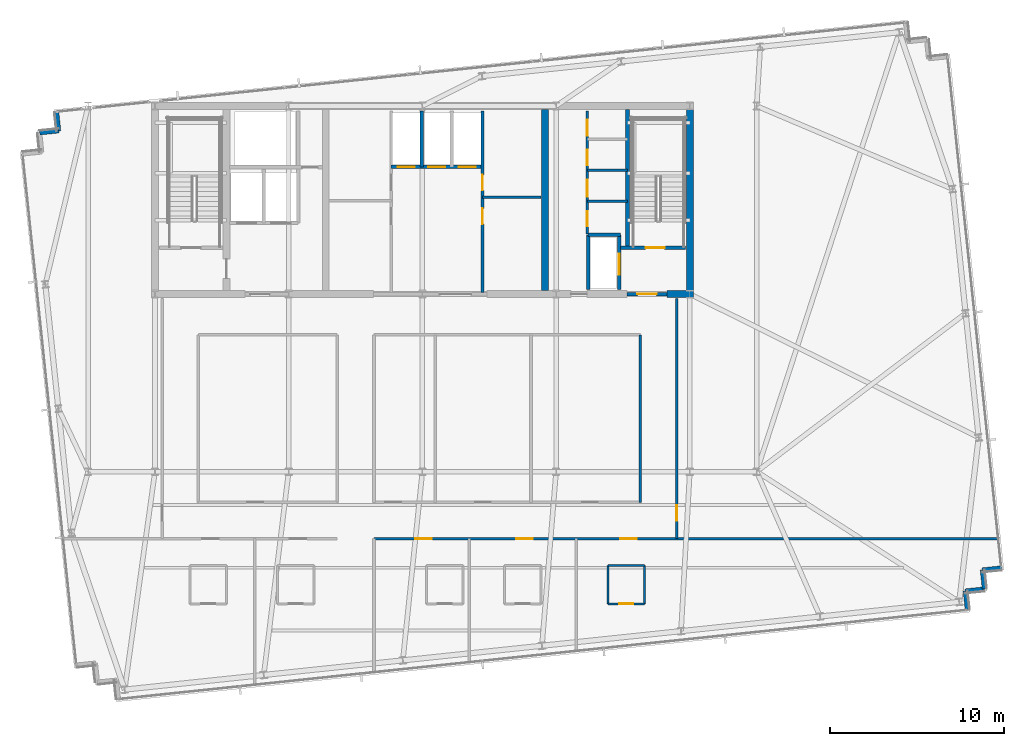
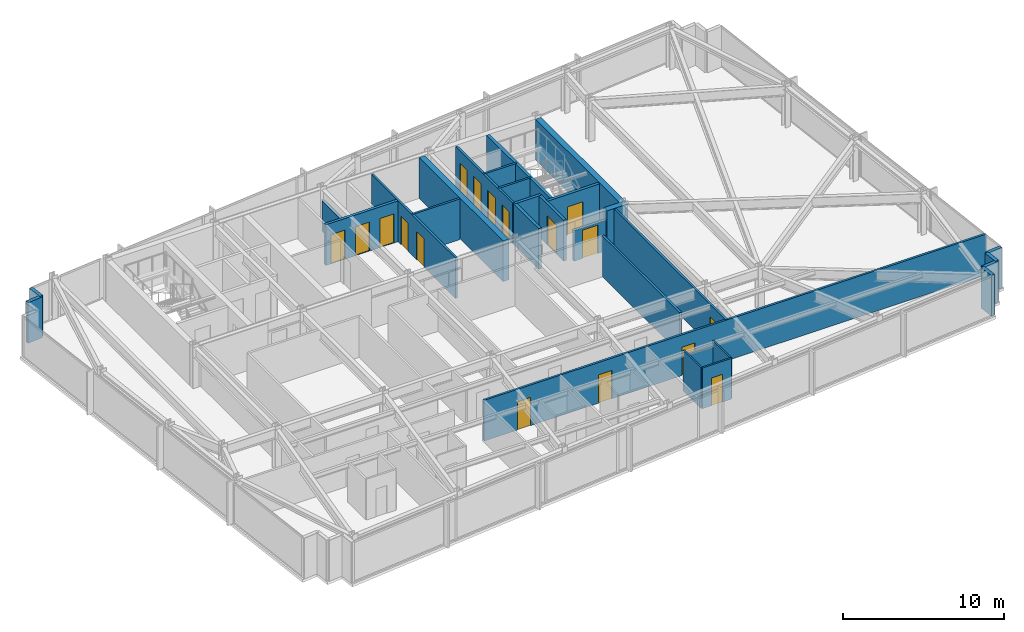
# One storey, part 28 of 33: 29 walls, 17 doors, 17 openings.
"""IFC4 building model written with IfcOpenShell, lengths in metres."""

from ifc_helpers import new_model, si_unit, direction, frame, frame_2d, origin, place, context, subcontext, project, spatial, rectangle, extrude, material, layer, layer_set, type_object, element, fill, save


model = new_model("IFC4")

# Units and contexts
model_context = context("Model", 3, precision=1e-05, world=origin(), true_north=direction((0.0, 1.0)))
body_context = subcontext(model_context, "Body", "Model", "MODEL_VIEW")
ifc_project = project(units=[si_unit("LENGTHUNIT", "METRE"), si_unit("AREAUNIT", "SQUARE_METRE"), si_unit("VOLUMEUNIT", "CUBIC_METRE"), si_unit("PLANEANGLEUNIT", "RADIAN"), si_unit("MASSUNIT", "GRAM", prefix="KILO")], contexts=[model_context])

# Site, building, storey
site_placement = place(None, origin())
site = spatial("IfcSite", under=ifc_project, at=site_placement, CompositionType="ELEMENT")
building_placement = place(site_placement, origin())
building = spatial("IfcBuilding", under=site, at=building_placement, Name="Yelkora Congress Tower", CompositionType="ELEMENT")
storey_placement = place(building_placement, frame((0.0, 0.0, 230.89990234375)))
storey = spatial("IfcBuildingStorey", under=building, at=storey_placement, Name="L64", CompositionType="ELEMENT", Elevation=230.89990234375)

# Walls
ifc_material_1 = material(Name="Concrete C50/60", Category="concrete")
ifc_layer_1 = layer(ifc_material_1, 0.219970703125)
ifc_layer_set_1 = layer_set([ifc_layer_1], Name="Concrete C50/60")
wall_type_1 = type_object("IfcWallType", Name="WALL-CORE-INT-220", PredefinedType="SHEAR", material=ifc_layer_set_1)
wall_1_placement = place(storey_placement, frame((50.179931640625, 38.050048828125, 0.0), z_axis=(0.0, 0.0, 1.0), x_axis=(0.0, 1.0, 0.0)))
element("IfcWall", 1, at=wall_1_placement, inside=storey, type_object=wall_type_1, Name="L64 ST02 West Stair Shear Wall", PredefinedType="SHEAR", context=body_context, shape_type="SweptSolid", body=[
    extrude(rectangle(XDim=7.949951171875, YDim=0.219970703125, at=frame_2d((3.97509765625, 0.0))), origin(), (0.0, 0.0, 1.0), 3.080078125),
])
ifc_layer_2 = layer(ifc_material_1, 0.39990234375)
ifc_layer_set_2 = layer_set([ifc_layer_2], Name="Concrete C50/60")
wall_type_2 = type_object("IfcWallType", Name="WALL-CORE-INT-400", PredefinedType="SHEAR", material=ifc_layer_set_2)
wall_2_placement = place(storey_placement, frame((52.449951171875, 35.39990234375, 0.0), z_axis=(0.0, 0.0, 1.0), x_axis=(1.0, 0.0, 0.0)))
element("IfcWall", 2, at=wall_2_placement, inside=storey, type_object=wall_type_2, Name="L64 Rear Core South-East Shear Wall B", PredefinedType="SHEAR", context=body_context, shape_type="SweptSolid", body=[
    extrude(rectangle(XDim=1.510009765625, YDim=0.39990234375, at=frame_2d((0.7548828125, 0.0))), origin(), (0.0, 0.0, 1.0), 3.080078125),
])
for number, where, z_axis, x_axis, name in (
    (3, (45.449951171875, 35.60009765625, 0.0), (0.0, 0.0, 1.0), (0.0, 1.0, 0.0), "L64 Rear Core Cross Shear Wall C3"),
    (4, (53.760009765625, 35.60009765625, 0.0), (0.0, 0.0, 1.0), (0.0, 1.0, 0.0), "L64 Rear Core Cross Shear Wall E"),
):
    element("IfcWall", number, at=place(storey_placement, frame(where, z_axis=z_axis, x_axis=x_axis)), inside=storey, type_object=wall_type_2, Name=name, PredefinedType="SHEAR", context=body_context, shape_type="SweptSolid", body=[
        extrude(rectangle(XDim=10.39990234375, YDim=0.39990234375, at=frame_2d((5.199951171875, 0.0))), origin(), (0.0, 0.0, 1.0), 3.080078125),
    ])
ifc_material_2 = material(Name="Concrete C40/50", Category="concrete")
ifc_layer_3 = layer(ifc_material_2, 0.239990234375)
ifc_layer_set_3 = layer_set([ifc_layer_3], Name="Concrete C40/50")
wall_type_3 = type_object("IfcWallType", Name="WALL-EXT-LIMESTONE-240", PredefinedType="SOLIDWALL", material=ifc_layer_set_3)
wall_3_placement = place(storey_placement, frame((16.420166015625, 44.65380859375, 0.0), z_axis=(0.0, 0.0, 1.0), x_axis=(0.994541884982, 0.104338099541, 0.0)))
element("IfcWall", 5, at=wall_3_placement, inside=storey, type_object=wall_type_3, Name="L64 Serrated Corner Limestone Pier 8", PredefinedType="SOLIDWALL", context=body_context, shape_type="SweptSolid", body=[
    extrude(rectangle(XDim=1.099853515625, YDim=0.239990234375, at=frame_2d((0.5498046875, 0.0))), origin(), (0.0, 0.0, 1.0), 3.080078125),
])
for number, where, z_axis, x_axis, name in (
    (6, (17.513916015625, 44.7685546875, 0.0), (0.0, 0.0, 1.0), (-0.104534592565, 0.994521251134, 0.0), "L64 Serrated Corner Limestone Pier 9"),
    (7, (71.654052734375, 19.67041015625, 0.0), (0.0, 0.0, 1.0), (-0.994521251134, -0.104534592565, 0.0), "L64 Serrated Corner Limestone Pier 16"),
    (8, (70.56005859375, 19.555419921875, 0.0), (0.0, 0.0, 1.0), (0.104534592565, -0.994521251134, 0.0), "L64 Serrated Corner Limestone Pier 17"),
    (9, (70.675048828125, 18.46142578125, 0.0), (0.0, 0.0, 1.0), (-0.994521251134, -0.104534592565, 0.0), "L64 Serrated Corner Limestone Pier 18"),
    (10, (69.5810546875, 18.346435546875, 0.0), (0.0, 0.0, 1.0), (0.104534592565, -0.994521251134, 0.0), "L64 Serrated Corner Limestone Pier 19"),
):
    element("IfcWall", number, at=place(storey_placement, frame(where, z_axis=z_axis, x_axis=x_axis)), inside=storey, type_object=wall_type_3, Name=name, PredefinedType="SOLIDWALL", context=body_context, shape_type="SweptSolid", body=[
        extrude(rectangle(XDim=1.10009765625, YDim=0.239990234375, at=frame_2d((0.550048828125, 0.0))), origin(), (0.0, 0.0, 1.0), 3.080078125),
    ])
ifc_material_3 = material(Name="Moisture-resistant gypsum partition", Category="gypsum")
ifc_layer_4 = layer(ifc_material_3, 0.1201171875)
ifc_layer_set_4 = layer_set([ifc_layer_4], Name="Moisture-resistant gypsum partition")
wall_type_4 = type_object("IfcWallType", Name="WALL-INT-120-NR", PredefinedType="PARTITIONING", material=ifc_layer_set_4)
wall_4_placement = place(storey_placement, frame((49.069091796875, 19.800048828125, 0.0), z_axis=(0.0, 0.0, 1.0), x_axis=(1.0, 0.0, 0.0)))
element("IfcWall", 11, at=wall_4_placement, inside=storey, type_object=wall_type_4, Name="L64 Partition Wall 43", PredefinedType="PARTITIONING", context=body_context, shape_type="SweptSolid", body=[
    extrude(rectangle(XDim=2.099853515625, YDim=0.1201171875, at=frame_2d((1.0498046875, 0.0))), origin(), (0.0, 0.0, 1.0), 2.715087890625),
])
for number, where, z_axis, x_axis, name in (
    (12, (49.069091796875, 17.60009765625, 0.0), (0.0, 0.0, 1.0), (0.0, 1.0, 0.0), "L64 Partition Wall 44"),
    (13, (51.1689453125, 17.60009765625, 0.0), (0.0, 0.0, 1.0), (0.0, 1.0, 0.0), "L64 Partition Wall 45"),
):
    element("IfcWall", number, at=place(storey_placement, frame(where, z_axis=z_axis, x_axis=x_axis)), inside=storey, type_object=wall_type_4, Name=name, PredefinedType="PARTITIONING", context=body_context, shape_type="SweptSolid", body=[
        extrude(rectangle(XDim=2.199951171875, YDim=0.1201171875, at=frame_2d((1.10009765625, 0.0))), origin(), (0.0, 0.0, 1.0), 3.080078125),
    ])

# Wall, opening, door
wall_5_placement = place(storey_placement, frame((49.069091796875, 17.60009765625, 0.0), z_axis=(0.0, 0.0, 1.0), x_axis=(1.0, 0.0, 0.0)))
wall_5 = element("IfcWall", 14, at=wall_5_placement, inside=storey, type_object=wall_type_4, Name="L64 Partition Wall 46", PredefinedType="PARTITIONING", context=body_context, shape_type="SweptSolid", body=[
    extrude(rectangle(XDim=2.099853515625, YDim=0.1201171875, at=frame_2d((1.0498046875, 0.0))), origin(), (0.0, 0.0, 1.0), 3.080078125),
])
opening_1_placement = place(wall_5_placement, frame((0.64990234375, 0.0, 0.0)))
opening_1 = element("IfcOpeningElement", 15, at=opening_1_placement, cuts=wall_5, Name="Opening DR-080B", PredefinedType="OPENING", context=body_context, shape_type="SweptSolid", body=[
    extrude(rectangle(XDim=0.800048828125, YDim=2.10009765625, at=frame_2d((0.39990234375, 1.050048828125))), frame((0.0, 0.070068359375, 0.0), z_axis=(0.0, -1.0, 0.0), x_axis=(1.0, 0.0, 0.0)), (0.0, 0.0, 1.0), 0.14013671875),
])
ifc_material_4 = material(Name="Moisture-sealed en-suite timber door", Category="wood")
door_type_1 = type_object("IfcDoorType", Name="DOOR-BATH-800", OperationType="NOTDEFINED", PredefinedType="DOOR", material=ifc_material_4)
door_1_placement = place(opening_1_placement, origin())
door_1 = element("IfcDoor", 16, at=door_1_placement, inside=storey, type_object=door_type_1, Name="L64 En-suite Door 6", OperationType="SINGLE_SWING_LEFT", OverallHeight=2.10009765625, OverallWidth=0.800048828125, PredefinedType="DOOR", context=body_context, shape_type="SweptSolid", body=[
    extrude(rectangle(XDim=0.800048828125, YDim=2.10009765625, at=frame_2d((0.39990234375, 1.050048828125))), frame((0.0, 0.02490234375, 0.0), z_axis=(0.0, -1.0, 0.0), x_axis=(1.0, 0.0, 0.0)), (0.0, 0.0, 1.0), 0.050048828125),
])
fill(opening_1, door_1)

# Walls
ifc_material_5 = material(Name="Acoustic metal-stud gypsum partition", Category="gypsum")
ifc_layer_5 = layer(ifc_material_5, 0.14990234375)
ifc_layer_set_5 = layer_set([ifc_layer_5], Name="Acoustic metal-stud gypsum partition")
wall_type_5 = type_object("IfcWallType", Name="WALL-INT-150-NR", PredefinedType="PARTITIONING", material=ifc_layer_set_5)
for number, where, z_axis, x_axis, name in (
    (17, (47.8798828125, 40.719970703125, 0.0), (0.0, 0.0, 1.0), (1.0, 0.0, 0.0), "L64 Partition Wall 20"),
    (18, (47.8798828125, 42.52001953125, 0.0), (0.0, 0.0, 1.0), (1.0, 0.0, 0.0), "L64 Partition Wall 21"),
):
    element("IfcWall", number, at=place(storey_placement, frame(where, z_axis=z_axis, x_axis=x_axis)), inside=storey, type_object=wall_type_5, Name=name, PredefinedType="PARTITIONING", context=body_context, shape_type="SweptSolid", body=[
        extrude(rectangle(XDim=2.300048828125, YDim=0.14990234375, at=frame_2d((1.14990234375, 0.0))), origin(), (0.0, 0.0, 1.0), 3.080078125),
    ])

# Wall, openings, doors
wall_6_placement = place(storey_placement, frame((47.8798828125, 38.85009765625, 0.0), z_axis=(0.0, 0.0, 1.0), x_axis=(0.0, 1.0, 0.0)))
wall_6 = element("IfcWall", 19, at=wall_6_placement, inside=storey, type_object=wall_type_5, Name="L64 Partition Wall 23", PredefinedType="PARTITIONING", context=body_context, shape_type="SweptSolid", body=[
    extrude(rectangle(XDim=7.06982421875, YDim=0.14990234375, at=frame_2d((3.534912109375, 0.0))), origin(), (0.0, 0.0, 1.0), 3.080078125),
])
opening_2_placement = place(wall_6_placement, frame((0.449951171875, 0.0, 0.0)))
opening_2 = element("IfcOpeningElement", 20, at=opening_2_placement, cuts=wall_6, Name="Opening DR-085N", PredefinedType="OPENING", context=body_context, shape_type="SweptSolid", body=[
    extrude(rectangle(XDim=0.85009765625, YDim=2.14990234375, at=frame_2d((0.425048828125, 1.074951171875))), frame((0.0, 0.0849609375, 0.0), z_axis=(0.0, -1.0, 0.0), x_axis=(1.0, 0.0, 0.0)), (0.0, 0.0, 1.0), 0.169921875),
])
opening_3_placement = place(wall_6_placement, frame((2.14990234375, 0.0, 0.0)))
opening_3 = element("IfcOpeningElement", 21, at=opening_3_placement, cuts=wall_6, Name="Opening DR-095N", PredefinedType="OPENING", context=body_context, shape_type="SweptSolid", body=[
    extrude(rectangle(XDim=0.949951171875, YDim=2.14990234375, at=frame_2d((0.47509765625, 1.074951171875))), frame((0.0, 0.0849609375, 0.0), z_axis=(0.0, -1.0, 0.0), x_axis=(1.0, 0.0, 0.0)), (0.0, 0.0, 1.0), 0.169921875),
])
opening_4_placement = place(wall_6_placement, frame((3.949951171875, 0.0, 0.0)))
opening_4 = element("IfcOpeningElement", 22, at=opening_4_placement, cuts=wall_6, Name="Opening DR-090N", PredefinedType="OPENING", context=body_context, shape_type="SweptSolid", body=[
    extrude(rectangle(XDim=0.89990234375, YDim=2.14990234375, at=frame_2d((0.449951171875, 1.074951171875))), frame((0.0, 0.0849609375, 0.0), z_axis=(0.0, -1.0, 0.0), x_axis=(1.0, 0.0, 0.0)), (0.0, 0.0, 1.0), 0.169921875),
])
opening_5_placement = place(wall_6_placement, frame((5.64990234375, 0.0, 0.0)))
opening_5 = element("IfcOpeningElement", 23, at=opening_5_placement, cuts=wall_6, Name="Opening DR-090N", PredefinedType="OPENING", context=body_context, shape_type="SweptSolid", body=[
    extrude(rectangle(XDim=0.89990234375, YDim=2.14990234375, at=frame_2d((0.449951171875, 1.074951171875))), frame((0.0, 0.0849609375, 0.0), z_axis=(0.0, -1.0, 0.0), x_axis=(1.0, 0.0, 0.0)), (0.0, 0.0, 1.0), 0.169921875),
])
ifc_material_6 = material(Name="Laminate service store door leaf", Category="wood")
door_type_2 = type_object("IfcDoorType", Name="DOOR-INT-850", OperationType="NOTDEFINED", PredefinedType="DOOR", material=ifc_material_6)
door_2_placement = place(opening_2_placement, origin())
door_2 = element("IfcDoor", 24, at=door_2_placement, inside=storey, type_object=door_type_2, Name="L64 Janitor Room Door", OperationType="SINGLE_SWING_LEFT", OverallHeight=2.14990234375, OverallWidth=0.85009765625, PredefinedType="DOOR", context=body_context, shape_type="SweptSolid", body=[
    extrude(rectangle(XDim=0.85009765625, YDim=2.14990234375, at=frame_2d((0.425048828125, 1.074951171875))), frame((0.0, 0.02490234375, 0.0), z_axis=(0.0, -1.0, 0.0), x_axis=(1.0, 0.0, 0.0)), (0.0, 0.0, 1.0), 0.050048828125),
])
fill(opening_2, door_2)
ifc_material_7 = material(Name="Moisture-resistant laminate door leaf", Category="wood")
door_type_3 = type_object("IfcDoorType", Name="DOOR-INT-900", OperationType="NOTDEFINED", PredefinedType="DOOR", material=ifc_material_7)
door_3_placement = place(opening_4_placement, origin())
door_3 = element("IfcDoor", 25, at=door_3_placement, inside=storey, type_object=door_type_3, Name="L64 Male WC Door", OperationType="SINGLE_SWING_LEFT", OverallHeight=2.14990234375, OverallWidth=0.89990234375, PredefinedType="DOOR", context=body_context, shape_type="SweptSolid", body=[
    extrude(rectangle(XDim=0.89990234375, YDim=2.14990234375, at=frame_2d((0.449951171875, 1.074951171875))), frame((0.0, 0.02490234375, 0.0), z_axis=(0.0, -1.0, 0.0), x_axis=(1.0, 0.0, 0.0)), (0.0, 0.0, 1.0), 0.050048828125),
])
fill(opening_4, door_3)
door_4_placement = place(opening_5_placement, origin())
door_4 = element("IfcDoor", 26, at=door_4_placement, inside=storey, type_object=door_type_3, Name="L64 Female WC Door", OperationType="SINGLE_SWING_RIGHT", OverallHeight=2.14990234375, OverallWidth=0.89990234375, PredefinedType="DOOR", context=body_context, shape_type="SweptSolid", body=[
    extrude(rectangle(XDim=0.89990234375, YDim=2.14990234375, at=frame_2d((0.449951171875, 1.074951171875))), frame((0.0, 0.02490234375, 0.0), z_axis=(0.0, -1.0, 0.0), x_axis=(1.0, 0.0, 0.0)), (0.0, 0.0, 1.0), 0.050048828125),
])
fill(opening_5, door_4)
ifc_material_8 = material(Name="Acoustic laminated timber office door", Category="wood")
door_type_4 = type_object("IfcDoorType", Name="DOOR-INT-950", OperationType="NOTDEFINED", PredefinedType="DOOR", material=ifc_material_8)
door_5_placement = place(opening_3_placement, origin())
door_5 = element("IfcDoor", 27, at=door_5_placement, inside=storey, type_object=door_type_4, Name="L64 Accessible WC Door", OperationType="SINGLE_SWING_RIGHT", OverallHeight=2.14990234375, OverallWidth=0.949951171875, PredefinedType="DOOR", context=body_context, shape_type="SweptSolid", body=[
    extrude(rectangle(XDim=0.949951171875, YDim=2.14990234375, at=frame_2d((0.47509765625, 1.074951171875))), frame((0.0, 0.02490234375, 0.0), z_axis=(0.0, -1.0, 0.0), x_axis=(1.0, 0.0, 0.0)), (0.0, 0.0, 1.0), 0.050048828125),
])
fill(opening_3, door_5)

# Wall, opening, door
wall_7_placement = place(storey_placement, frame((53.0, 21.35009765625, 0.0), z_axis=(0.0, 0.0, 1.0), x_axis=(0.0, 1.0, 0.0)))
wall_7 = element("IfcWall", 28, at=wall_7_placement, inside=storey, type_object=wall_type_5, Name="L64 Partition Wall 51", PredefinedType="PARTITIONING", context=body_context, shape_type="SweptSolid", body=[
    extrude(rectangle(XDim=13.789794921875, YDim=0.14990234375, at=frame_2d((6.89501953125, 0.0))), origin(), (0.0, 0.0, 1.0), 3.080078125),
])
opening_6_placement = place(wall_7_placement, frame((1.030029296875, 0.0, 0.0)))
opening_6 = element("IfcOpeningElement", 29, at=opening_6_placement, cuts=wall_7, Name="Opening DR-090N", PredefinedType="OPENING", context=body_context, shape_type="SweptSolid", body=[
    extrude(rectangle(XDim=0.89990234375, YDim=2.14990234375, at=frame_2d((0.449951171875, 1.074951171875))), frame((0.0, 0.0849609375, 0.0), z_axis=(0.0, -1.0, 0.0), x_axis=(1.0, 0.0, 0.0)), (0.0, 0.0, 1.0), 0.169921875),
])
door_6_placement = place(opening_6_placement, origin())
door_6 = element("IfcDoor", 30, at=door_6_placement, inside=storey, type_object=door_type_3, Name="L64 E Wing Door", OperationType="SINGLE_SWING_RIGHT", OverallHeight=2.14990234375, OverallWidth=0.89990234375, PredefinedType="DOOR", context=body_context, shape_type="SweptSolid", body=[
    extrude(rectangle(XDim=0.89990234375, YDim=2.14990234375, at=frame_2d((0.449951171875, 1.074951171875))), frame((0.0, 0.02490234375, 0.0), z_axis=(0.0, -1.0, 0.0), x_axis=(1.0, 0.0, 0.0)), (0.0, 0.0, 1.0), 0.050048828125),
])
fill(opening_6, door_6)

# Walls
wall_8_placement = place(storey_placement, frame((50.919921875, 23.429931640625, 0.0), z_axis=(0.0, 0.0, 1.0), x_axis=(0.0, 1.0, 0.0)))
element("IfcWall", 31, at=wall_8_placement, inside=storey, type_object=wall_type_5, Name="L64 Partition Wall 53", PredefinedType="PARTITIONING", context=body_context, shape_type="SweptSolid", body=[
    extrude(rectangle(XDim=9.6201171875, YDim=0.14990234375, at=frame_2d((4.81005859375, 0.0))), origin(), (0.0, 0.0, 1.0), 3.080078125),
])
ifc_material_9 = material(Name="Twin-stud fire-rated gypsum partition", Category="gypsum")
ifc_layer_6 = layer(ifc_material_9, 0.14990234375)
ifc_layer_set_6 = layer_set([ifc_layer_6], Name="Twin-stud fire-rated gypsum partition")
wall_type_6 = type_object("IfcWallType", Name="WALL-INT-150-R60", PredefinedType="PARTITIONING", material=ifc_layer_set_6)
wall_9_placement = place(storey_placement, frame((41.85009765625, 40.949951171875, 0.0), z_axis=(0.0, 0.0, 1.0), x_axis=(1.0, 0.0, 0.0)))
element("IfcWall", 32, at=wall_9_placement, inside=storey, type_object=wall_type_6, Name="L64 Partition Wall 13", PredefinedType="PARTITIONING", context=body_context, shape_type="SweptSolid", body=[
    extrude(rectangle(XDim=3.369873046875, YDim=0.14990234375, at=frame_2d((1.68505859375, 0.0))), origin(), (0.0, 0.0, 1.0), 3.080078125),
])

# Wall, openings, doors
wall_10_placement = place(storey_placement, frame((41.85009765625, 35.5, 0.0), z_axis=(0.0, 0.0, 1.0), x_axis=(0.0, 1.0, 0.0)))
wall_10 = element("IfcWall", 33, at=wall_10_placement, inside=storey, type_object=wall_type_6, Name="L64 Partition Wall 14", PredefinedType="PARTITIONING", context=body_context, shape_type="SweptSolid", body=[
    extrude(rectangle(XDim=10.419921875, YDim=0.14990234375, at=frame_2d((5.2099609375, 0.0))), origin(), (0.0, 0.0, 1.0), 3.080078125),
])
opening_7_placement = place(wall_10_placement, frame((3.919921875, 0.0, 0.0)))
opening_7 = element("IfcOpeningElement", 34, at=opening_7_placement, cuts=wall_10, Name="Opening DR-090F6", PredefinedType="OPENING", context=body_context, shape_type="SweptSolid", body=[
    extrude(rectangle(XDim=0.89990234375, YDim=2.14990234375, at=frame_2d((0.449951171875, 1.074951171875))), frame((0.0, 0.0849609375, 0.0), z_axis=(0.0, -1.0, 0.0), x_axis=(1.0, 0.0, 0.0)), (0.0, 0.0, 1.0), 0.169921875),
])
opening_8_placement = place(wall_10_placement, frame((5.85009765625, 0.0, 0.0)))
opening_8 = element("IfcOpeningElement", 35, at=opening_8_placement, cuts=wall_10, Name="Opening DR-090F6", PredefinedType="OPENING", context=body_context, shape_type="SweptSolid", body=[
    extrude(rectangle(XDim=0.89990234375, YDim=2.14990234375, at=frame_2d((0.449951171875, 1.074951171875))), frame((0.0, 0.0849609375, 0.0), z_axis=(0.0, -1.0, 0.0), x_axis=(1.0, 0.0, 0.0)), (0.0, 0.0, 1.0), 0.169921875),
])
ifc_material_10 = material(Name="Painted steel riser fire door leaf", Category="steel")
door_type_5 = type_object("IfcDoorType", Name="DOOR-FD60-900", OperationType="NOTDEFINED", PredefinedType="DOOR", material=ifc_material_10)
door_7_placement = place(opening_7_placement, origin())
door_7 = element("IfcDoor", 36, at=door_7_placement, inside=storey, type_object=door_type_5, Name="L64 High-Zone BMS Door", OperationType="SINGLE_SWING_RIGHT", OverallHeight=2.14990234375, OverallWidth=0.89990234375, PredefinedType="DOOR", context=body_context, shape_type="SweptSolid", body=[
    extrude(rectangle(XDim=0.89990234375, YDim=2.14990234375, at=frame_2d((0.449951171875, 1.074951171875))), frame((0.0, 0.02490234375, 0.0), z_axis=(0.0, -1.0, 0.0), x_axis=(1.0, 0.0, 0.0)), (0.0, 0.0, 1.0), 0.050048828125),
])
fill(opening_7, door_7)
door_8_placement = place(opening_8_placement, origin())
door_8 = element("IfcDoor", 37, at=door_8_placement, inside=storey, type_object=door_type_5, Name="L64 Linen Store Door", OperationType="SINGLE_SWING_LEFT", OverallHeight=2.14990234375, OverallWidth=0.89990234375, PredefinedType="DOOR", context=body_context, shape_type="SweptSolid", body=[
    extrude(rectangle(XDim=0.89990234375, YDim=2.14990234375, at=frame_2d((0.449951171875, 1.074951171875))), frame((0.0, 0.02490234375, 0.0), z_axis=(0.0, -1.0, 0.0), x_axis=(1.0, 0.0, 0.0)), (0.0, 0.0, 1.0), 0.050048828125),
])
fill(opening_8, door_8)

wall_11_placement = place(storey_placement, frame((35.6201171875, 21.35009765625, 0.0), z_axis=(0.0, 0.0, 1.0), x_axis=(1.0, 0.0, 0.0)))
wall_11 = element("IfcWall", 38, at=wall_11_placement, inside=storey, type_object=wall_type_6, Name="L64 South Spine Wall East", PredefinedType="PARTITIONING", context=body_context, shape_type="SweptSolid", body=[
    extrude(rectangle(XDim=35.917724609375, YDim=0.14990234375, at=frame_2d((17.958984375, 0.0))), origin(), (0.0, 0.0, 1.0), 3.080078125),
])
opening_9_placement = place(wall_11_placement, frame((2.3759765625, 0.0, 0.0)))
opening_9 = element("IfcOpeningElement", 39, at=opening_9_placement, cuts=wall_11, Name="Opening DR-095F6", PredefinedType="OPENING", context=body_context, shape_type="SweptSolid", body=[
    extrude(rectangle(XDim=0.949951171875, YDim=2.14990234375, at=frame_2d((0.47509765625, 1.074951171875))), frame((0.0, 0.0849609375, 0.0), z_axis=(0.0, -1.0, 0.0), x_axis=(1.0, 0.0, 0.0)), (0.0, 0.0, 1.0), 0.169921875),
])
opening_10_placement = place(wall_11_placement, frame((8.179931640625, 0.0, 0.0)))
opening_10 = element("IfcOpeningElement", 40, at=opening_10_placement, cuts=wall_11, Name="Opening DR-095F6", PredefinedType="OPENING", context=body_context, shape_type="SweptSolid", body=[
    extrude(rectangle(XDim=0.949951171875, YDim=2.14990234375, at=frame_2d((0.47509765625, 1.074951171875))), frame((0.0, 0.0849609375, 0.0), z_axis=(0.0, -1.0, 0.0), x_axis=(1.0, 0.0, 0.0)), (0.0, 0.0, 1.0), 0.169921875),
])
opening_11_placement = place(wall_11_placement, frame((14.138916015625, 0.0, 0.0)))
opening_11 = element("IfcOpeningElement", 41, at=opening_11_placement, cuts=wall_11, Name="Opening DR-095F6", PredefinedType="OPENING", context=body_context, shape_type="SweptSolid", body=[
    extrude(rectangle(XDim=0.949951171875, YDim=2.14990234375, at=frame_2d((0.47509765625, 1.074951171875))), frame((0.0, 0.0849609375, 0.0), z_axis=(0.0, -1.0, 0.0), x_axis=(1.0, 0.0, 0.0)), (0.0, 0.0, 1.0), 0.169921875),
])
ifc_material_11 = material(Name="Acoustic oak-veneer fire door leaf", Category="wood")
door_type_6 = type_object("IfcDoorType", Name="DOOR-FD60-950", OperationType="NOTDEFINED", PredefinedType="DOOR", material=ifc_material_11)
door_9_placement = place(opening_9_placement, origin())
door_9 = element("IfcDoor", 42, at=door_9_placement, inside=storey, type_object=door_type_6, Name="L64 Hotel Guest Room 04 Entry Door", OperationType="SINGLE_SWING_RIGHT", OverallHeight=2.14990234375, OverallWidth=0.949951171875, PredefinedType="DOOR", context=body_context, shape_type="SweptSolid", body=[
    extrude(rectangle(XDim=0.949951171875, YDim=2.14990234375, at=frame_2d((0.47509765625, 1.074951171875))), frame((0.0, 0.02490234375, 0.0), z_axis=(0.0, -1.0, 0.0), x_axis=(1.0, 0.0, 0.0)), (0.0, 0.0, 1.0), 0.050048828125),
])
fill(opening_9, door_9)
door_10_placement = place(opening_10_placement, origin())
door_10 = element("IfcDoor", 43, at=door_10_placement, inside=storey, type_object=door_type_6, Name="L64 Hotel Guest Room 05 Entry Door", OperationType="SINGLE_SWING_LEFT", OverallHeight=2.14990234375, OverallWidth=0.949951171875, PredefinedType="DOOR", context=body_context, shape_type="SweptSolid", body=[
    extrude(rectangle(XDim=0.949951171875, YDim=2.14990234375, at=frame_2d((0.47509765625, 1.074951171875))), frame((0.0, 0.02490234375, 0.0), z_axis=(0.0, -1.0, 0.0), x_axis=(1.0, 0.0, 0.0)), (0.0, 0.0, 1.0), 0.050048828125),
])
fill(opening_10, door_10)
door_11_placement = place(opening_11_placement, origin())
door_11 = element("IfcDoor", 44, at=door_11_placement, inside=storey, type_object=door_type_6, Name="L64 Diplomatic Suite 06 Entry Door", OperationType="SINGLE_SWING_RIGHT", OverallHeight=2.14990234375, OverallWidth=0.949951171875, PredefinedType="DOOR", context=body_context, shape_type="SweptSolid", body=[
    extrude(rectangle(XDim=0.949951171875, YDim=2.14990234375, at=frame_2d((0.47509765625, 1.074951171875))), frame((0.0, 0.02490234375, 0.0), z_axis=(0.0, -1.0, 0.0), x_axis=(1.0, 0.0, 0.0)), (0.0, 0.0, 1.0), 0.050048828125),
])
fill(opening_11, door_11)

ifc_material_12 = material(Name="Autoclaved aerated concrete blockwork", Category="masonry")
ifc_layer_7 = layer(ifc_material_12, 0.199951171875)
ifc_layer_set_7 = layer_set([ifc_layer_7], Name="Autoclaved aerated concrete blockwork")
wall_type_7 = type_object("IfcWallType", Name="WALL-INT-200-R120", PredefinedType="PARTITIONING", material=ifc_layer_set_7)
wall_12_placement = place(storey_placement, frame((36.60009765625, 42.699951171875, 0.0), z_axis=(0.0, 0.0, 1.0), x_axis=(1.0, 0.0, 0.0)))
wall_12 = element("IfcWall", 45, at=wall_12_placement, inside=storey, type_object=wall_type_7, Name="L64 Partition Wall 8", PredefinedType="PARTITIONING", context=body_context, shape_type="SweptSolid", body=[
    extrude(rectangle(XDim=5.25, YDim=0.199951171875, at=frame_2d((2.625, 0.0))), origin(), (0.0, 0.0, 1.0), 3.080078125),
])
opening_12_placement = place(wall_12_placement, frame((0.375, 0.0, 0.0)))
opening_12 = element("IfcOpeningElement", 46, at=opening_12_placement, cuts=wall_12, Name="Opening LD-PS10", PredefinedType="OPENING", context=body_context, shape_type="SweptSolid", body=[
    extrude(rectangle(XDim=1.0, YDim=2.199951171875, at=frame_2d((0.5, 1.10009765625))), frame((0.0, 0.10986328125, 0.0), z_axis=(0.0, -1.0, 0.0), x_axis=(1.0, 0.0, 0.0)), (0.0, 0.0, 1.0), 0.219970703125),
])
opening_13_placement = place(wall_12_placement, frame((2.125, 0.0, 0.0)))
opening_13 = element("IfcOpeningElement", 47, at=opening_13_placement, cuts=wall_12, Name="Opening LD-PS10", PredefinedType="OPENING", context=body_context, shape_type="SweptSolid", body=[
    extrude(rectangle(XDim=1.0, YDim=2.199951171875, at=frame_2d((0.5, 1.10009765625))), frame((0.0, 0.10986328125, 0.0), z_axis=(0.0, -1.0, 0.0), x_axis=(1.0, 0.0, 0.0)), (0.0, 0.0, 1.0), 0.219970703125),
])
opening_14_placement = place(wall_12_placement, frame((3.875, 0.0, 0.0)))
opening_14 = element("IfcOpeningElement", 48, at=opening_14_placement, cuts=wall_12, Name="Opening LD-PS10", PredefinedType="OPENING", context=body_context, shape_type="SweptSolid", body=[
    extrude(rectangle(XDim=1.0, YDim=2.199951171875, at=frame_2d((0.5, 1.10009765625))), frame((0.0, 0.10986328125, 0.0), z_axis=(0.0, -1.0, 0.0), x_axis=(1.0, 0.0, 0.0)), (0.0, 0.0, 1.0), 0.219970703125),
])
ifc_material_13 = material(Name="Champagne stainless steel landing door", Category="steel")
door_type_7 = type_object("IfcDoorType", Name="DOOR-LIFT-PAS-1000", OperationType="DOUBLE_DOOR_SLIDING", PredefinedType="DOOR", material=ifc_material_13)
door_12_placement = place(opening_12_placement, origin())
door_12 = element("IfcDoor", 49, at=door_12_placement, inside=storey, type_object=door_type_7, Name="Lift Landing Door LF-P9 L64", OperationType="DOUBLE_DOOR_SLIDING", OverallHeight=2.199951171875, OverallWidth=1.0, PredefinedType="DOOR", context=body_context, shape_type="SweptSolid", body=[
    extrude(rectangle(XDim=1.0, YDim=2.199951171875, at=frame_2d((0.5, 1.10009765625))), frame((0.0, 0.02490234375, 0.0), z_axis=(0.0, -1.0, 0.0), x_axis=(1.0, 0.0, 0.0)), (0.0, 0.0, 1.0), 0.050048828125),
])
fill(opening_12, door_12)
door_13_placement = place(opening_13_placement, origin())
door_13 = element("IfcDoor", 50, at=door_13_placement, inside=storey, type_object=door_type_7, Name="Lift Landing Door LF-P10 L64", OperationType="DOUBLE_DOOR_SLIDING", OverallHeight=2.199951171875, OverallWidth=1.0, PredefinedType="DOOR", context=body_context, shape_type="SweptSolid", body=[
    extrude(rectangle(XDim=1.0, YDim=2.199951171875, at=frame_2d((0.5, 1.10009765625))), frame((0.0, 0.02490234375, 0.0), z_axis=(0.0, -1.0, 0.0), x_axis=(1.0, 0.0, 0.0)), (0.0, 0.0, 1.0), 0.050048828125),
])
fill(opening_13, door_13)
door_14_placement = place(opening_14_placement, origin())
door_14 = element("IfcDoor", 51, at=door_14_placement, inside=storey, type_object=door_type_7, Name="Lift Landing Door LF-P11 L64", OperationType="DOUBLE_DOOR_SLIDING", OverallHeight=2.199951171875, OverallWidth=1.0, PredefinedType="DOOR", context=body_context, shape_type="SweptSolid", body=[
    extrude(rectangle(XDim=1.0, YDim=2.199951171875, at=frame_2d((0.5, 1.10009765625))), frame((0.0, 0.02490234375, 0.0), z_axis=(0.0, -1.0, 0.0), x_axis=(1.0, 0.0, 0.0)), (0.0, 0.0, 1.0), 0.050048828125),
])
fill(opening_14, door_14)

# Wall
wall_13_placement = place(storey_placement, frame((38.35009765625, 42.699951171875, 0.0), z_axis=(0.0, 0.0, 1.0), x_axis=(0.0, 1.0, 0.0)))
element("IfcWall", 52, at=wall_13_placement, inside=storey, type_object=wall_type_7, Name="L64 Partition Wall 9", PredefinedType="PARTITIONING", context=body_context, shape_type="SweptSolid", body=[
    extrude(rectangle(XDim=3.219970703125, YDim=0.199951171875, at=frame_2d((1.60986328125, 0.0))), origin(), (0.0, 0.0, 1.0), 2.31298828125),
])

# Wall, opening, door
wall_14_placement = place(storey_placement, frame((49.780029296875, 38.050048828125, 0.0), z_axis=(0.0, 0.0, 1.0), x_axis=(1.0, 0.0, 0.0)))
wall_14 = element("IfcWall", 53, at=wall_14_placement, inside=storey, type_object=wall_type_7, Name="L64 Stair ST-02 Enclosure Wall", PredefinedType="PARTITIONING", context=body_context, shape_type="SweptSolid", body=[
    extrude(rectangle(XDim=3.719970703125, YDim=0.199951171875, at=frame_2d((1.85986328125, 0.0))), origin(), (0.0, 0.0, 1.0), 3.080078125),
])
opening_15_placement = place(wall_14_placement, frame((1.436279296875, 0.0, 0.0)))
opening_15 = element("IfcOpeningElement", 54, at=opening_15_placement, cuts=wall_14, Name="Opening DR-110F9", PredefinedType="OPENING", context=body_context, shape_type="SweptSolid", body=[
    extrude(rectangle(XDim=1.10009765625, YDim=2.14990234375, at=frame_2d((0.550048828125, 1.074951171875))), frame((0.0, 0.10986328125, 0.0), z_axis=(0.0, -1.0, 0.0), x_axis=(1.0, 0.0, 0.0)), (0.0, 0.0, 1.0), 0.219970703125),
])
ifc_material_14 = material(Name="Galvanised steel fire door leaf", Category="steel")
door_type_8 = type_object("IfcDoorType", Name="DOOR-FD90-1100", OperationType="NOTDEFINED", PredefinedType="DOOR", material=ifc_material_14)
door_15_placement = place(opening_15_placement, origin())
door_15 = element("IfcDoor", 55, at=door_15_placement, inside=storey, type_object=door_type_8, Name="L64 Stair ST-02 Entry Door", OperationType="SINGLE_SWING_RIGHT", OverallHeight=2.14990234375, OverallWidth=1.10009765625, PredefinedType="DOOR", context=body_context, shape_type="SweptSolid", body=[
    extrude(rectangle(XDim=1.10009765625, YDim=2.14990234375, at=frame_2d((0.550048828125, 1.074951171875))), frame((0.0, 0.02490234375, 0.0), z_axis=(0.0, -1.0, 0.0), x_axis=(1.0, 0.0, 0.0)), (0.0, 0.0, 1.0), 0.050048828125),
])
fill(opening_15, door_15)

wall_15_placement = place(storey_placement, frame((50.14990234375, 35.39990234375, 0.0), z_axis=(0.0, 0.0, 1.0), x_axis=(1.0, 0.0, 0.0)))
wall_15 = element("IfcWall", 56, at=wall_15_placement, inside=storey, type_object=wall_type_7, Name="L64 Partition Wall 16", PredefinedType="PARTITIONING", context=body_context, shape_type="SweptSolid", body=[
    extrude(rectangle(XDim=2.300048828125, YDim=0.199951171875, at=frame_2d((1.14990234375, 0.0))), origin(), (0.0, 0.0, 1.0), 2.31298828125),
])
opening_16_placement = place(wall_15_placement, frame((0.60009765625, 0.0, 0.0)))
opening_16 = element("IfcOpeningElement", 57, at=opening_16_placement, cuts=wall_15, Name="Opening DR-110F9", PredefinedType="OPENING", context=body_context, shape_type="SweptSolid", body=[
    extrude(rectangle(XDim=1.10009765625, YDim=2.14990234375, at=frame_2d((0.550048828125, 1.074951171875))), frame((0.0, 0.10986328125, 0.0), z_axis=(0.0, -1.0, 0.0), x_axis=(1.0, 0.0, 0.0)), (0.0, 0.0, 1.0), 0.219970703125),
])
door_16_placement = place(opening_16_placement, origin())
door_16 = element("IfcDoor", 58, at=door_16_placement, inside=storey, type_object=door_type_8, Name="L64 East Stair Lobby Door", OperationType="SINGLE_SWING_LEFT", OverallHeight=2.14990234375, OverallWidth=1.10009765625, PredefinedType="DOOR", context=body_context, shape_type="SweptSolid", body=[
    extrude(rectangle(XDim=1.10009765625, YDim=2.14990234375, at=frame_2d((0.550048828125, 1.074951171875))), frame((0.0, 0.02490234375, 0.0), z_axis=(0.0, -1.0, 0.0), x_axis=(1.0, 0.0, 0.0)), (0.0, 0.0, 1.0), 0.050048828125),
])
fill(opening_16, door_16)

wall_16_placement = place(storey_placement, frame((49.699951171875, 35.64990234375, 0.0), z_axis=(0.0, 0.0, 1.0), x_axis=(0.0, 1.0, 0.0)))
wall_16 = element("IfcWall", 59, at=wall_16_placement, inside=storey, type_object=wall_type_7, Name="L64 Partition Wall 17", PredefinedType="PARTITIONING", context=body_context, shape_type="SweptSolid", body=[
    extrude(rectangle(XDim=3.150146484375, YDim=0.199951171875, at=frame_2d((1.5751953125, 0.0))), origin(), (0.0, 0.0, 1.0), 3.080078125),
])
opening_17_placement = place(wall_16_placement, frame((0.85009765625, 0.0, 0.0)))
opening_17 = element("IfcOpeningElement", 60, at=opening_17_placement, cuts=wall_16, Name="Opening LD-SV12", PredefinedType="OPENING", context=body_context, shape_type="SweptSolid", body=[
    extrude(rectangle(XDim=1.199951171875, YDim=2.199951171875, at=frame_2d((0.60009765625, 1.10009765625))), frame((0.0, 0.10986328125, 0.0), z_axis=(0.0, -1.0, 0.0), x_axis=(1.0, 0.0, 0.0)), (0.0, 0.0, 1.0), 0.219970703125),
])
ifc_material_15 = material(Name="Heavy-duty stainless steel landing door", Category="steel")
door_type_9 = type_object("IfcDoorType", Name="DOOR-LIFT-SRV-1200", OperationType="DOUBLE_DOOR_SLIDING", PredefinedType="DOOR", material=ifc_material_15)
door_17_placement = place(opening_17_placement, origin())
door_17 = element("IfcDoor", 61, at=door_17_placement, inside=storey, type_object=door_type_9, Name="Service Lift Landing Door LF-SV1 L64", OperationType="DOUBLE_DOOR_SLIDING", OverallHeight=2.199951171875, OverallWidth=1.199951171875, PredefinedType="DOOR", context=body_context, shape_type="SweptSolid", body=[
    extrude(rectangle(XDim=1.199951171875, YDim=2.199951171875, at=frame_2d((0.60009765625, 1.10009765625))), frame((0.0, 0.02490234375, 0.0), z_axis=(0.0, -1.0, 0.0), x_axis=(1.0, 0.0, 0.0)), (0.0, 0.0, 1.0), 0.050048828125),
])
fill(opening_17, door_17)

# Walls
wall_17_placement = place(storey_placement, frame((47.919921875, 35.64990234375, 0.0), z_axis=(0.0, 0.0, 1.0), x_axis=(0.0, 1.0, 0.0)))
element("IfcWall", 62, at=wall_17_placement, inside=storey, type_object=wall_type_7, Name="L64 Partition Wall 18", PredefinedType="PARTITIONING", context=body_context, shape_type="SweptSolid", body=[
    extrude(rectangle(XDim=3.150146484375, YDim=0.199951171875, at=frame_2d((1.5751953125, 0.0))), origin(), (0.0, 0.0, 1.0), 3.080078125),
])
wall_18_placement = place(storey_placement, frame((47.919921875, 38.800048828125, 0.0), z_axis=(0.0, 0.0, 1.0), x_axis=(1.0, 0.0, 0.0)))
element("IfcWall", 63, at=wall_18_placement, inside=storey, type_object=wall_type_7, Name="L64 Partition Wall 19", PredefinedType="PARTITIONING", context=body_context, shape_type="SweptSolid", body=[
    extrude(rectangle(XDim=1.860107421875, YDim=0.199951171875, at=frame_2d((0.93017578125, 0.0))), origin(), (0.0, 0.0, 1.0), 3.080078125),
])

save(model, "model.ifc")
